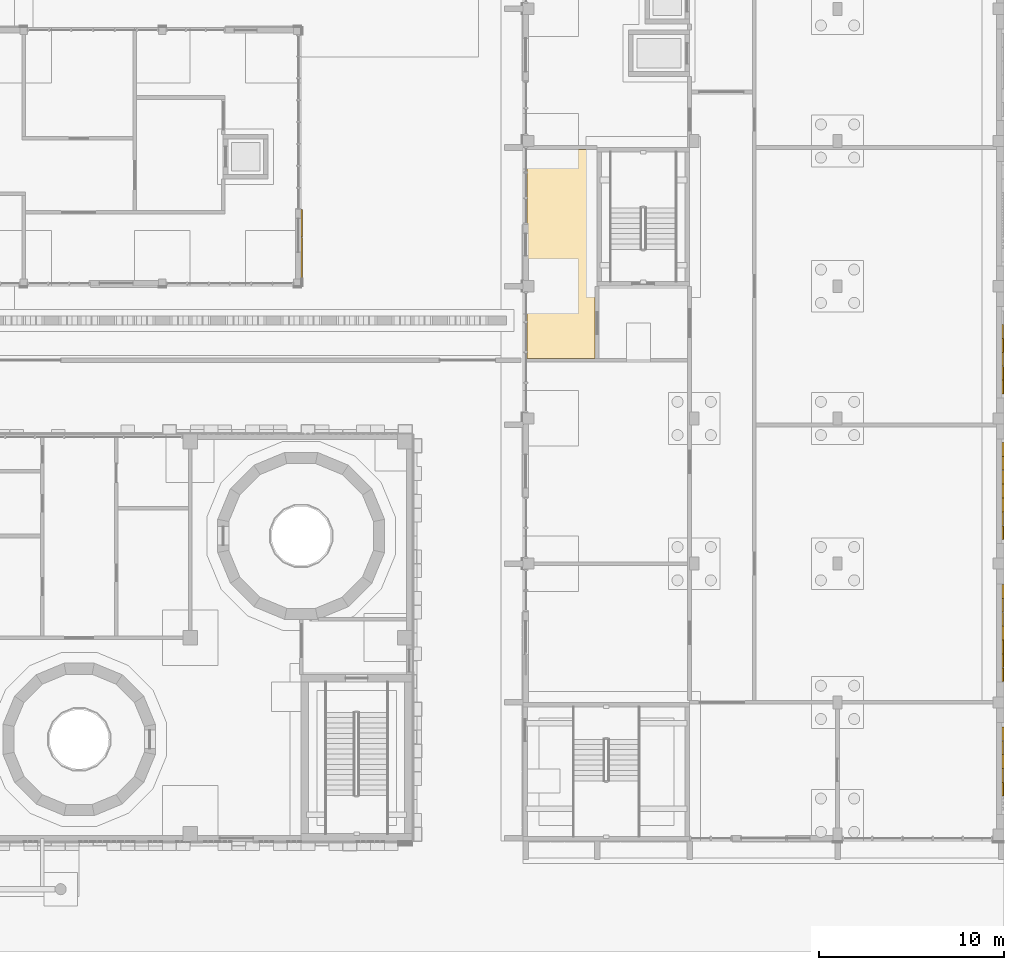
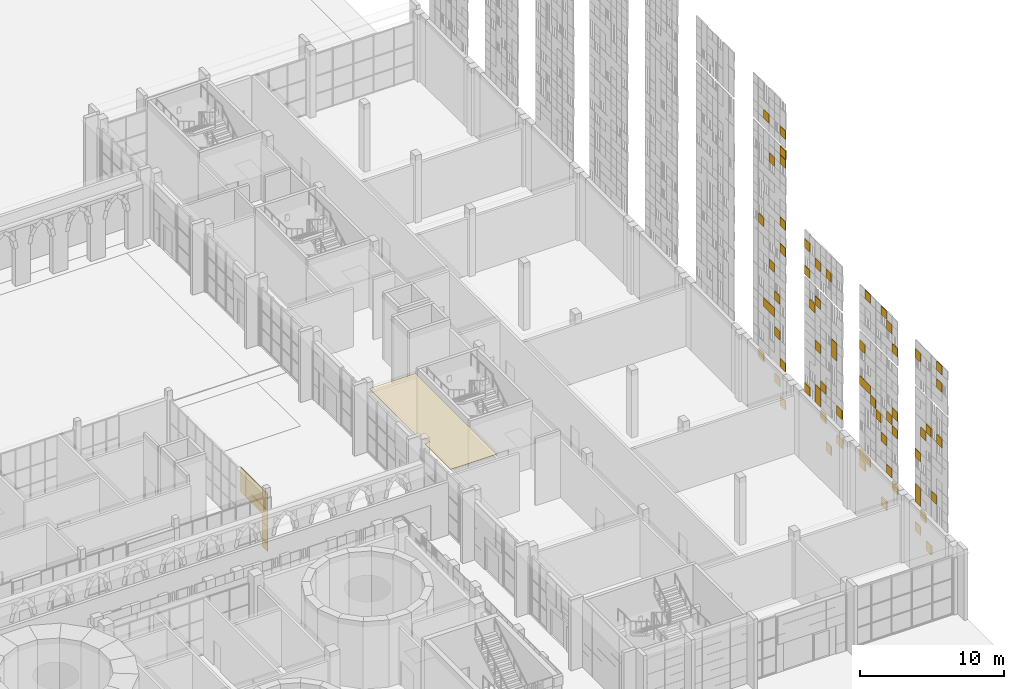
# One storey, part 107 of 125: 3 coverings.
"""IFC4 building model written with IfcOpenShell, lengths in metres."""

from ifc_helpers import new_model, si_unit, direction, frame, origin, origin_2d, place, context, subcontext, project, spatial, polyline, rectangle, outline, extrude, material, layer, layer_set, type_object, element, save


model = new_model("IFC4")

# Units and contexts
model_context = context("Model", 3, precision=1e-05, world=origin(), true_north=direction((0.0, 1.0)))
body_context = subcontext(model_context, "Body", "Model", "MODEL_VIEW")
ifc_project = project(units=[si_unit("LENGTHUNIT", "METRE"), si_unit("AREAUNIT", "SQUARE_METRE"), si_unit("VOLUMEUNIT", "CUBIC_METRE"), si_unit("PLANEANGLEUNIT", "RADIAN"), si_unit("MASSUNIT", "GRAM", prefix="KILO")], contexts=[model_context])

# Site, building, storey
site_placement = place(None, origin())
site = spatial("IfcSite", under=ifc_project, at=site_placement, CompositionType="ELEMENT")
building_placement = place(site_placement, origin())
building = spatial("IfcBuilding", under=site, at=building_placement, Name="Sun Court Science Centre", CompositionType="ELEMENT")
storey_placement = place(building_placement, origin())
storey = spatial("IfcBuildingStorey", under=building, at=storey_placement, Name="L00", CompositionType="ELEMENT", Elevation=0.0)

# Coverings
ifc_material_1 = material(Name="Gypsum board")
ifc_layer_1 = layer(ifc_material_1, 0.030029296875)
ifc_layer_set_1 = layer_set([ifc_layer_1], Name="Gypsum board")
covering_type_1 = type_object("IfcCoveringType", Name="Ceiling suspended 600 module", PredefinedType="CEILING", material=ifc_layer_set_1)
covering_1_placement = place(storey_placement, frame((0.0, 0.0, 5.27001953125)))
element("IfcCovering", 1, at=covering_1_placement, inside=storey, type_object=covering_type_1, Name="L00-047 ceiling", PredefinedType="CEILING", context=body_context, shape_type="SweptSolid", body=[
    extrude(outline(polyline([(78.199951171875, 43.39990234375), (81.89990234375, 43.39990234375), (81.89990234375, 32.10009765625), (78.199951171875, 32.10009765625), (78.199951171875, 35.699951171875), (78.60009765625, 35.699951171875), (78.60009765625, 36.300048828125), (78.199951171875, 36.300048828125), (78.199951171875, 43.39990234375)])), origin(), (0.0, 0.0, 1.0), 0.030029296875),
])
ifc_material_2 = material(Name="Red sandstone", Category="masonry")
ifc_layer_2 = layer(ifc_material_2, 0.06005859375)
ifc_layer_set_2 = layer_set([ifc_layer_2], Name="Red sandstone")
covering_type_2 = type_object("IfcCoveringType", Name="Red sandstone wall cladding 750", PredefinedType="CLADDING", material=ifc_layer_set_2)
covering_2_placement = place(storey_placement, origin())
element("IfcCovering", 2, at=covering_2_placement, inside=storey, type_object=covering_type_2, Name="Red sandstone wall cladding east face L00", PredefinedType="CLADDING", context=body_context, shape_type="SweptSolid", body=[
    extrude(rectangle(XDim=0.739990234375, YDim=0.06005859375, at=origin_2d()), frame((66.030029296875, 36.77490234375, 0.005126953125), z_axis=(0.0, 0.0, 1.0), x_axis=(0.0, -1.0, 0.0)), (0.0, 0.0, 1.0), 0.68994140625),
    extrude(rectangle(XDim=0.739990234375, YDim=0.06005859375, at=origin_2d()), frame((66.030029296875, 36.77490234375, 0.705078125), z_axis=(0.0, 0.0, 1.0), x_axis=(0.0, -1.0, 0.0)), (0.0, 0.0, 1.0), 0.68994140625),
    extrude(rectangle(XDim=0.739990234375, YDim=0.06005859375, at=origin_2d()), frame((66.030029296875, 36.77490234375, 1.405029296875), z_axis=(0.0, 0.0, 1.0), x_axis=(0.0, -1.0, 0.0)), (0.0, 0.0, 1.0), 0.68994140625),
    extrude(rectangle(XDim=0.739990234375, YDim=0.06005859375, at=origin_2d()), frame((66.030029296875, 36.77490234375, 2.10498046875), z_axis=(0.0, 0.0, 1.0), x_axis=(0.0, -1.0, 0.0)), (0.0, 0.0, 1.0), 0.68994140625),
    extrude(rectangle(XDim=0.739990234375, YDim=0.06005859375, at=origin_2d()), frame((66.030029296875, 39.77490234375, 2.804931640625), z_axis=(0.0, 0.0, 1.0), x_axis=(0.0, -1.0, 0.0)), (0.0, 0.0, 1.0), 0.68994140625),
    extrude(rectangle(XDim=0.739990234375, YDim=0.06005859375, at=origin_2d()), frame((66.030029296875, 39.02490234375, 2.804931640625), z_axis=(0.0, 0.0, 1.0), x_axis=(0.0, -1.0, 0.0)), (0.0, 0.0, 1.0), 0.68994140625),
    extrude(rectangle(XDim=0.739990234375, YDim=0.06005859375, at=origin_2d()), frame((66.030029296875, 38.27490234375, 2.804931640625), z_axis=(0.0, 0.0, 1.0), x_axis=(0.0, -1.0, 0.0)), (0.0, 0.0, 1.0), 0.68994140625),
    extrude(rectangle(XDim=0.739990234375, YDim=0.06005859375, at=origin_2d()), frame((66.030029296875, 37.52490234375, 2.804931640625), z_axis=(0.0, 0.0, 1.0), x_axis=(0.0, -1.0, 0.0)), (0.0, 0.0, 1.0), 0.68994140625),
    extrude(rectangle(XDim=0.739990234375, YDim=0.06005859375, at=origin_2d()), frame((66.030029296875, 36.77490234375, 2.804931640625), z_axis=(0.0, 0.0, 1.0), x_axis=(0.0, -1.0, 0.0)), (0.0, 0.0, 1.0), 0.68994140625),
    extrude(rectangle(XDim=0.739990234375, YDim=0.06005859375, at=origin_2d()), frame((66.030029296875, 39.77490234375, 3.505126953125), z_axis=(0.0, 0.0, 1.0), x_axis=(0.0, -1.0, 0.0)), (0.0, 0.0, 1.0), 0.68994140625),
    extrude(rectangle(XDim=0.739990234375, YDim=0.06005859375, at=origin_2d()), frame((66.030029296875, 39.02490234375, 3.505126953125), z_axis=(0.0, 0.0, 1.0), x_axis=(0.0, -1.0, 0.0)), (0.0, 0.0, 1.0), 0.68994140625),
    extrude(rectangle(XDim=0.739990234375, YDim=0.06005859375, at=origin_2d()), frame((66.030029296875, 38.27490234375, 3.505126953125), z_axis=(0.0, 0.0, 1.0), x_axis=(0.0, -1.0, 0.0)), (0.0, 0.0, 1.0), 0.68994140625),
    extrude(rectangle(XDim=0.739990234375, YDim=0.06005859375, at=origin_2d()), frame((66.030029296875, 37.52490234375, 3.505126953125), z_axis=(0.0, 0.0, 1.0), x_axis=(0.0, -1.0, 0.0)), (0.0, 0.0, 1.0), 0.68994140625),
    extrude(rectangle(XDim=0.739990234375, YDim=0.06005859375, at=origin_2d()), frame((66.030029296875, 36.77490234375, 3.505126953125), z_axis=(0.0, 0.0, 1.0), x_axis=(0.0, -1.0, 0.0)), (0.0, 0.0, 1.0), 0.68994140625),
    extrude(rectangle(XDim=0.739990234375, YDim=0.06005859375, at=origin_2d()), frame((66.030029296875, 39.77490234375, 4.205078125), z_axis=(0.0, 0.0, 1.0), x_axis=(0.0, -1.0, 0.0)), (0.0, 0.0, 1.0), 0.68994140625),
    extrude(rectangle(XDim=0.739990234375, YDim=0.06005859375, at=origin_2d()), frame((66.030029296875, 39.02490234375, 4.205078125), z_axis=(0.0, 0.0, 1.0), x_axis=(0.0, -1.0, 0.0)), (0.0, 0.0, 1.0), 0.68994140625),
    extrude(rectangle(XDim=0.739990234375, YDim=0.06005859375, at=origin_2d()), frame((66.030029296875, 38.27490234375, 4.205078125), z_axis=(0.0, 0.0, 1.0), x_axis=(0.0, -1.0, 0.0)), (0.0, 0.0, 1.0), 0.68994140625),
    extrude(rectangle(XDim=0.739990234375, YDim=0.06005859375, at=origin_2d()), frame((66.030029296875, 37.52490234375, 4.205078125), z_axis=(0.0, 0.0, 1.0), x_axis=(0.0, -1.0, 0.0)), (0.0, 0.0, 1.0), 0.68994140625),
    extrude(rectangle(XDim=0.739990234375, YDim=0.06005859375, at=origin_2d()), frame((66.030029296875, 36.77490234375, 4.205078125), z_axis=(0.0, 0.0, 1.0), x_axis=(0.0, -1.0, 0.0)), (0.0, 0.0, 1.0), 0.68994140625),
])
ifc_material_3 = material(Name="Terracotta shade 5", Category="masonry")
ifc_layer_3 = layer(ifc_material_3, 0.06005859375)
ifc_layer_set_3 = layer_set([ifc_layer_3], Name="Terracotta shade 5")
covering_type_3 = type_object("IfcCoveringType", Name="Terracotta pixel panel shade 5", PredefinedType="CLADDING", material=ifc_layer_set_3)
covering_3_placement = place(storey_placement, origin())
element("IfcCovering", 3, at=covering_3_placement, inside=storey, type_object=covering_type_3, Name="Terracotta pixel cladding shade 5 east party wall L00", PredefinedType="CLADDING", context=body_context, shape_type="SweptSolid", body=[
    extrude(rectangle(XDim=0.739990234375, YDim=0.10009765625, at=origin_2d()), frame((103.949951171875, 10.300048828125, 2.47998046875), z_axis=(0.0, 0.0, 1.0), x_axis=(0.0, -1.0, 0.0)), (0.0, 0.0, 1.0), 0.739990234375),
    extrude(rectangle(XDim=0.739990234375, YDim=0.06005859375, at=origin_2d()), frame((103.929931640625, 11.800048828125, 3.22998046875), z_axis=(0.0, 0.0, 1.0), x_axis=(0.0, -1.0, 0.0)), (0.0, 0.0, 1.0), 0.739990234375),
    extrude(rectangle(XDim=0.739990234375, YDim=0.06005859375, at=origin_2d()), frame((103.929931640625, 11.050048828125, 4.72998046875), z_axis=(0.0, 0.0, 1.0), x_axis=(0.0, -1.0, 0.0)), (0.0, 0.0, 1.0), 0.739990234375),
    extrude(rectangle(XDim=0.739990234375, YDim=0.10009765625, at=origin_2d()), frame((103.949951171875, 16.5, 2.47998046875), z_axis=(0.0, 0.0, 1.0), x_axis=(0.0, -1.0, 0.0)), (0.0, 0.0, 1.0), 0.739990234375),
    extrude(rectangle(XDim=0.739990234375, YDim=0.10009765625, at=origin_2d()), frame((103.949951171875, 19.5, 3.97998046875), z_axis=(0.0, 0.0, 1.0), x_axis=(0.0, -1.0, 0.0)), (0.0, 0.0, 1.0), 0.739990234375),
    extrude(rectangle(XDim=0.739990234375, YDim=0.10009765625, at=origin_2d()), frame((103.949951171875, 19.5, 4.72998046875), z_axis=(0.0, 0.0, 1.0), x_axis=(0.0, -1.0, 0.0)), (0.0, 0.0, 1.0), 0.739990234375),
    extrude(rectangle(XDim=0.739990234375, YDim=0.06005859375, at=origin_2d()), frame((103.929931640625, 18.75, 4.72998046875), z_axis=(0.0, 0.0, 1.0), x_axis=(0.0, -1.0, 0.0)), (0.0, 0.0, 1.0), 0.739990234375),
    extrude(rectangle(XDim=0.739990234375, YDim=0.10009765625, at=origin_2d()), frame((103.949951171875, 15.0, 4.72998046875), z_axis=(0.0, 0.0, 1.0), x_axis=(0.0, -1.0, 0.0)), (0.0, 0.0, 1.0), 0.739990234375),
    extrude(rectangle(XDim=0.739990234375, YDim=0.06005859375, at=origin_2d()), frame((103.929931640625, 24.175048828125, 2.47998046875), z_axis=(0.0, 0.0, 1.0), x_axis=(0.0, -1.0, 0.0)), (0.0, 0.0, 1.0), 0.739990234375),
    extrude(rectangle(XDim=0.739990234375, YDim=0.10009765625, at=origin_2d()), frame((103.949951171875, 22.675048828125, 3.97998046875), z_axis=(0.0, 0.0, 1.0), x_axis=(0.0, -1.0, 0.0)), (0.0, 0.0, 1.0), 0.739990234375),
    extrude(rectangle(XDim=0.739990234375, YDim=0.06005859375, at=origin_2d()), frame((103.929931640625, 24.925048828125, 4.72998046875), z_axis=(0.0, 0.0, 1.0), x_axis=(0.0, -1.0, 0.0)), (0.0, 0.0, 1.0), 0.739990234375),
    extrude(rectangle(XDim=0.739990234375, YDim=0.06005859375, at=origin_2d()), frame((103.929931640625, 30.550048828125, 2.47998046875), z_axis=(0.0, 0.0, 1.0), x_axis=(0.0, -1.0, 0.0)), (0.0, 0.0, 1.0), 0.739990234375),
    extrude(rectangle(XDim=0.739990234375, YDim=0.06005859375, at=origin_2d()), frame((103.929931640625, 31.300048828125, 3.97998046875), z_axis=(0.0, 0.0, 1.0), x_axis=(0.0, -1.0, 0.0)), (0.0, 0.0, 1.0), 0.739990234375),
    extrude(rectangle(XDim=0.739990234375, YDim=0.06005859375, at=origin_2d()), frame((103.929931640625, 33.550048828125, 4.72998046875), z_axis=(0.0, 0.0, 1.0), x_axis=(0.0, -1.0, 0.0)), (0.0, 0.0, 1.0), 0.739990234375),
    extrude(rectangle(XDim=0.739990234375, YDim=0.06005859375, at=origin_2d()), frame((103.929931640625, 11.800048828125, 5.705078125), z_axis=(0.0, 0.0, 1.0), x_axis=(0.0, -1.0, 0.0)), (0.0, 0.0, 1.0), 0.739990234375),
    extrude(rectangle(XDim=0.739990234375, YDim=0.10009765625, at=origin_2d()), frame((103.949951171875, 11.800048828125, 6.455078125), z_axis=(0.0, 0.0, 1.0), x_axis=(0.0, -1.0, 0.0)), (0.0, 0.0, 1.0), 0.739990234375),
    extrude(rectangle(XDim=0.739990234375, YDim=0.06005859375, at=origin_2d()), frame((103.929931640625, 9.550048828125, 7.205078125), z_axis=(0.0, 0.0, 1.0), x_axis=(0.0, -1.0, 0.0)), (0.0, 0.0, 1.0), 0.739990234375),
    extrude(rectangle(XDim=0.739990234375, YDim=0.06005859375, at=origin_2d()), frame((103.929931640625, 11.800048828125, 9.455078125), z_axis=(0.0, 0.0, 1.0), x_axis=(0.0, -1.0, 0.0)), (0.0, 0.0, 1.0), 0.739990234375),
    extrude(rectangle(XDim=0.739990234375, YDim=0.06005859375, at=origin_2d()), frame((103.929931640625, 15.75, 5.705078125), z_axis=(0.0, 0.0, 1.0), x_axis=(0.0, -1.0, 0.0)), (0.0, 0.0, 1.0), 0.739990234375),
    extrude(rectangle(XDim=0.739990234375, YDim=0.06005859375, at=origin_2d()), frame((103.929931640625, 16.5, 7.955078125), z_axis=(0.0, 0.0, 1.0), x_axis=(0.0, -1.0, 0.0)), (0.0, 0.0, 1.0), 0.739990234375),
    extrude(rectangle(XDim=0.739990234375, YDim=0.10009765625, at=origin_2d()), frame((103.949951171875, 17.25, 9.455078125), z_axis=(0.0, 0.0, 1.0), x_axis=(0.0, -1.0, 0.0)), (0.0, 0.0, 1.0), 0.739990234375),
    extrude(rectangle(XDim=0.739990234375, YDim=0.06005859375, at=origin_2d()), frame((103.929931640625, 15.0, 9.455078125), z_axis=(0.0, 0.0, 1.0), x_axis=(0.0, -1.0, 0.0)), (0.0, 0.0, 1.0), 0.739990234375),
    extrude(rectangle(XDim=0.739990234375, YDim=0.06005859375, at=origin_2d()), frame((103.929931640625, 18.0, 10.205078125), z_axis=(0.0, 0.0, 1.0), x_axis=(0.0, -1.0, 0.0)), (0.0, 0.0, 1.0), 0.739990234375),
    extrude(rectangle(XDim=0.739990234375, YDim=0.10009765625, at=origin_2d()), frame((103.949951171875, 15.75, 10.205078125), z_axis=(0.0, 0.0, 1.0), x_axis=(0.0, -1.0, 0.0)), (0.0, 0.0, 1.0), 0.739990234375),
    extrude(rectangle(XDim=0.739990234375, YDim=0.10009765625, at=origin_2d()), frame((103.949951171875, 27.175048828125, 5.705078125), z_axis=(0.0, 0.0, 1.0), x_axis=(0.0, -1.0, 0.0)), (0.0, 0.0, 1.0), 0.739990234375),
    extrude(rectangle(XDim=0.739990234375, YDim=0.10009765625, at=origin_2d()), frame((103.949951171875, 25.675048828125, 5.705078125), z_axis=(0.0, 0.0, 1.0), x_axis=(0.0, -1.0, 0.0)), (0.0, 0.0, 1.0), 0.739990234375),
    extrude(rectangle(XDim=0.739990234375, YDim=0.10009765625, at=origin_2d()), frame((103.949951171875, 25.675048828125, 6.455078125), z_axis=(0.0, 0.0, 1.0), x_axis=(0.0, -1.0, 0.0)), (0.0, 0.0, 1.0), 0.739990234375),
    extrude(rectangle(XDim=0.739990234375, YDim=0.06005859375, at=origin_2d()), frame((103.929931640625, 22.675048828125, 6.455078125), z_axis=(0.0, 0.0, 1.0), x_axis=(0.0, -1.0, 0.0)), (0.0, 0.0, 1.0), 0.739990234375),
    extrude(rectangle(XDim=0.739990234375, YDim=0.10009765625, at=origin_2d()), frame((103.949951171875, 24.925048828125, 7.205078125), z_axis=(0.0, 0.0, 1.0), x_axis=(0.0, -1.0, 0.0)), (0.0, 0.0, 1.0), 0.739990234375),
    extrude(rectangle(XDim=0.739990234375, YDim=0.10009765625, at=origin_2d()), frame((103.949951171875, 25.675048828125, 10.205078125), z_axis=(0.0, 0.0, 1.0), x_axis=(0.0, -1.0, 0.0)), (0.0, 0.0, 1.0), 0.739990234375),
    extrude(rectangle(XDim=0.739990234375, YDim=0.06005859375, at=origin_2d()), frame((103.929931640625, 30.550048828125, 5.705078125), z_axis=(0.0, 0.0, 1.0), x_axis=(0.0, -1.0, 0.0)), (0.0, 0.0, 1.0), 0.739990234375),
    extrude(rectangle(XDim=0.739990234375, YDim=0.10009765625, at=origin_2d()), frame((103.949951171875, 31.300048828125, 7.955078125), z_axis=(0.0, 0.0, 1.0), x_axis=(0.0, -1.0, 0.0)), (0.0, 0.0, 1.0), 0.739990234375),
    extrude(rectangle(XDim=0.739990234375, YDim=0.10009765625, at=origin_2d()), frame((103.949951171875, 32.800048828125, 9.455078125), z_axis=(0.0, 0.0, 1.0), x_axis=(0.0, -1.0, 0.0)), (0.0, 0.0, 1.0), 0.739990234375),
    extrude(rectangle(XDim=0.739990234375, YDim=0.06005859375, at=origin_2d()), frame((103.929931640625, 32.050048828125, 9.455078125), z_axis=(0.0, 0.0, 1.0), x_axis=(0.0, -1.0, 0.0)), (0.0, 0.0, 1.0), 0.739990234375),
    extrude(rectangle(XDim=0.739990234375, YDim=0.06005859375, at=origin_2d()), frame((103.929931640625, 11.050048828125, 11.705078125), z_axis=(0.0, 0.0, 1.0), x_axis=(0.0, -1.0, 0.0)), (0.0, 0.0, 1.0), 0.739990234375),
    extrude(rectangle(XDim=0.739990234375, YDim=0.10009765625, at=origin_2d()), frame((103.949951171875, 10.300048828125, 12.455078125), z_axis=(0.0, 0.0, 1.0), x_axis=(0.0, -1.0, 0.0)), (0.0, 0.0, 1.0), 0.739990234375),
    extrude(rectangle(XDim=0.739990234375, YDim=0.10009765625, at=origin_2d()), frame((103.949951171875, 8.800048828125, 12.455078125), z_axis=(0.0, 0.0, 1.0), x_axis=(0.0, -1.0, 0.0)), (0.0, 0.0, 1.0), 0.739990234375),
    extrude(rectangle(XDim=0.739990234375, YDim=0.06005859375, at=origin_2d()), frame((103.929931640625, 19.5, 10.955078125), z_axis=(0.0, 0.0, 1.0), x_axis=(0.0, -1.0, 0.0)), (0.0, 0.0, 1.0), 0.739990234375),
    extrude(rectangle(XDim=0.739990234375, YDim=0.06005859375, at=origin_2d()), frame((103.929931640625, 18.75, 10.955078125), z_axis=(0.0, 0.0, 1.0), x_axis=(0.0, -1.0, 0.0)), (0.0, 0.0, 1.0), 0.739990234375),
    extrude(rectangle(XDim=0.739990234375, YDim=0.06005859375, at=origin_2d()), frame((103.929931640625, 15.0, 10.955078125), z_axis=(0.0, 0.0, 1.0), x_axis=(0.0, -1.0, 0.0)), (0.0, 0.0, 1.0), 0.739990234375),
    extrude(rectangle(XDim=0.739990234375, YDim=0.10009765625, at=origin_2d()), frame((103.949951171875, 19.5, 13.955078125), z_axis=(0.0, 0.0, 1.0), x_axis=(0.0, -1.0, 0.0)), (0.0, 0.0, 1.0), 0.739990234375),
    extrude(rectangle(XDim=0.739990234375, YDim=0.06005859375, at=origin_2d()), frame((103.929931640625, 23.425048828125, 10.955078125), z_axis=(0.0, 0.0, 1.0), x_axis=(0.0, -1.0, 0.0)), (0.0, 0.0, 1.0), 0.739990234375),
    extrude(rectangle(XDim=0.739990234375, YDim=0.06005859375, at=origin_2d()), frame((103.929931640625, 23.425048828125, 11.705078125), z_axis=(0.0, 0.0, 1.0), x_axis=(0.0, -1.0, 0.0)), (0.0, 0.0, 1.0), 0.739990234375),
    extrude(rectangle(XDim=0.739990234375, YDim=0.10009765625, at=origin_2d()), frame((103.949951171875, 26.425048828125, 13.205078125), z_axis=(0.0, 0.0, 1.0), x_axis=(0.0, -1.0, 0.0)), (0.0, 0.0, 1.0), 0.739990234375),
    extrude(rectangle(XDim=0.739990234375, YDim=0.06005859375, at=origin_2d()), frame((103.929931640625, 25.675048828125, 13.955078125), z_axis=(0.0, 0.0, 1.0), x_axis=(0.0, -1.0, 0.0)), (0.0, 0.0, 1.0), 0.739990234375),
    extrude(rectangle(XDim=0.739990234375, YDim=0.06005859375, at=origin_2d()), frame((103.929931640625, 31.300048828125, 10.955078125), z_axis=(0.0, 0.0, 1.0), x_axis=(0.0, -1.0, 0.0)), (0.0, 0.0, 1.0), 0.739990234375),
    extrude(rectangle(XDim=0.739990234375, YDim=0.06005859375, at=origin_2d()), frame((103.929931640625, 32.050048828125, 13.205078125), z_axis=(0.0, 0.0, 1.0), x_axis=(0.0, -1.0, 0.0)), (0.0, 0.0, 1.0), 0.739990234375),
    extrude(rectangle(XDim=0.739990234375, YDim=0.06005859375, at=origin_2d()), frame((103.929931640625, 8.800048828125, 17.15478515625), z_axis=(0.0, 0.0, 1.0), x_axis=(0.0, -1.0, 0.0)), (0.0, 0.0, 1.0), 0.739990234375),
    extrude(rectangle(XDim=0.739990234375, YDim=0.10009765625, at=origin_2d()), frame((103.949951171875, 11.800048828125, 17.90478515625), z_axis=(0.0, 0.0, 1.0), x_axis=(0.0, -1.0, 0.0)), (0.0, 0.0, 1.0), 0.739990234375),
    extrude(rectangle(XDim=0.739990234375, YDim=0.06005859375, at=origin_2d()), frame((103.929931640625, 8.800048828125, 18.65478515625), z_axis=(0.0, 0.0, 1.0), x_axis=(0.0, -1.0, 0.0)), (0.0, 0.0, 1.0), 0.739990234375),
    extrude(rectangle(XDim=0.739990234375, YDim=0.06005859375, at=origin_2d()), frame((103.929931640625, 15.0, 16.40478515625), z_axis=(0.0, 0.0, 1.0), x_axis=(0.0, -1.0, 0.0)), (0.0, 0.0, 1.0), 0.739990234375),
    extrude(rectangle(XDim=0.739990234375, YDim=0.06005859375, at=origin_2d()), frame((103.929931640625, 15.75, 17.90478515625), z_axis=(0.0, 0.0, 1.0), x_axis=(0.0, -1.0, 0.0)), (0.0, 0.0, 1.0), 0.739990234375),
    extrude(rectangle(XDim=0.739990234375, YDim=0.06005859375, at=origin_2d()), frame((103.929931640625, 18.75, 18.65478515625), z_axis=(0.0, 0.0, 1.0), x_axis=(0.0, -1.0, 0.0)), (0.0, 0.0, 1.0), 0.739990234375),
    extrude(rectangle(XDim=0.739990234375, YDim=0.06005859375, at=origin_2d()), frame((103.929931640625, 16.5, 18.65478515625), z_axis=(0.0, 0.0, 1.0), x_axis=(0.0, -1.0, 0.0)), (0.0, 0.0, 1.0), 0.739990234375),
    extrude(rectangle(XDim=0.739990234375, YDim=0.06005859375, at=origin_2d()), frame((103.929931640625, 27.175048828125, 15.65478515625), z_axis=(0.0, 0.0, 1.0), x_axis=(0.0, -1.0, 0.0)), (0.0, 0.0, 1.0), 0.739990234375),
    extrude(rectangle(XDim=0.739990234375, YDim=0.10009765625, at=origin_2d()), frame((103.949951171875, 25.675048828125, 17.15478515625), z_axis=(0.0, 0.0, 1.0), x_axis=(0.0, -1.0, 0.0)), (0.0, 0.0, 1.0), 0.739990234375),
    extrude(rectangle(XDim=0.739990234375, YDim=0.10009765625, at=origin_2d()), frame((103.949951171875, 24.175048828125, 17.15478515625), z_axis=(0.0, 0.0, 1.0), x_axis=(0.0, -1.0, 0.0)), (0.0, 0.0, 1.0), 0.739990234375),
    extrude(rectangle(XDim=0.739990234375, YDim=0.10009765625, at=origin_2d()), frame((103.949951171875, 27.175048828125, 17.90478515625), z_axis=(0.0, 0.0, 1.0), x_axis=(0.0, -1.0, 0.0)), (0.0, 0.0, 1.0), 0.739990234375),
    extrude(rectangle(XDim=0.739990234375, YDim=0.06005859375, at=origin_2d()), frame((103.929931640625, 30.550048828125, 15.455078125), z_axis=(0.0, 0.0, 1.0), x_axis=(0.0, -1.0, 0.0)), (0.0, 0.0, 1.0), 0.739990234375),
    extrude(rectangle(XDim=0.739990234375, YDim=0.06005859375, at=origin_2d()), frame((103.929931640625, 33.550048828125, 16.205078125), z_axis=(0.0, 0.0, 1.0), x_axis=(0.0, -1.0, 0.0)), (0.0, 0.0, 1.0), 0.739990234375),
    extrude(rectangle(XDim=0.739990234375, YDim=0.06005859375, at=origin_2d()), frame((103.929931640625, 30.550048828125, 17.705078125), z_axis=(0.0, 0.0, 1.0), x_axis=(0.0, -1.0, 0.0)), (0.0, 0.0, 1.0), 0.739990234375),
    extrude(rectangle(XDim=0.739990234375, YDim=0.06005859375, at=origin_2d()), frame((103.929931640625, 32.050048828125, 22.205078125), z_axis=(0.0, 0.0, 1.0), x_axis=(0.0, -1.0, 0.0)), (0.0, 0.0, 1.0), 0.739990234375),
    extrude(rectangle(XDim=0.739990234375, YDim=0.06005859375, at=origin_2d()), frame((103.929931640625, 30.550048828125, 22.955078125), z_axis=(0.0, 0.0, 1.0), x_axis=(0.0, -1.0, 0.0)), (0.0, 0.0, 1.0), 0.739990234375),
    extrude(rectangle(XDim=0.739990234375, YDim=0.10009765625, at=origin_2d()), frame((103.949951171875, 30.550048828125, 23.705078125), z_axis=(0.0, 0.0, 1.0), x_axis=(0.0, -1.0, 0.0)), (0.0, 0.0, 1.0), 0.739990234375),
    extrude(rectangle(XDim=0.739990234375, YDim=0.06005859375, at=origin_2d()), frame((103.929931640625, 32.800048828125, 25.40478515625), z_axis=(0.0, 0.0, 1.0), x_axis=(0.0, -1.0, 0.0)), (0.0, 0.0, 1.0), 0.739990234375),
    extrude(rectangle(XDim=0.739990234375, YDim=0.06005859375, at=origin_2d()), frame((103.929931640625, 30.550048828125, 25.40478515625), z_axis=(0.0, 0.0, 1.0), x_axis=(0.0, -1.0, 0.0)), (0.0, 0.0, 1.0), 0.739990234375),
])

save(model, "model.ifc")
